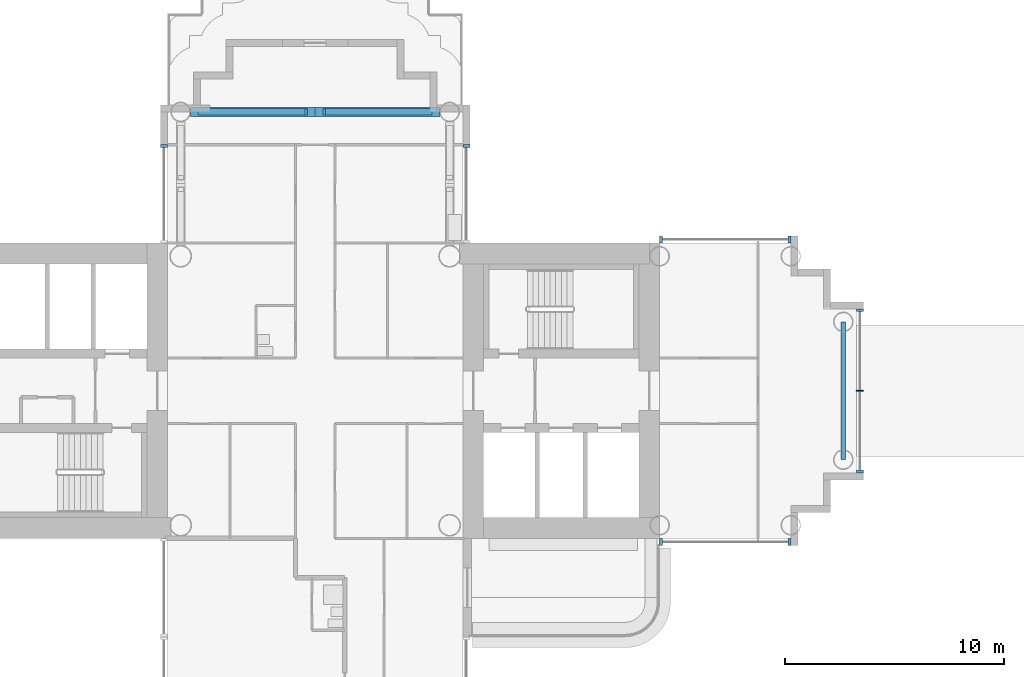
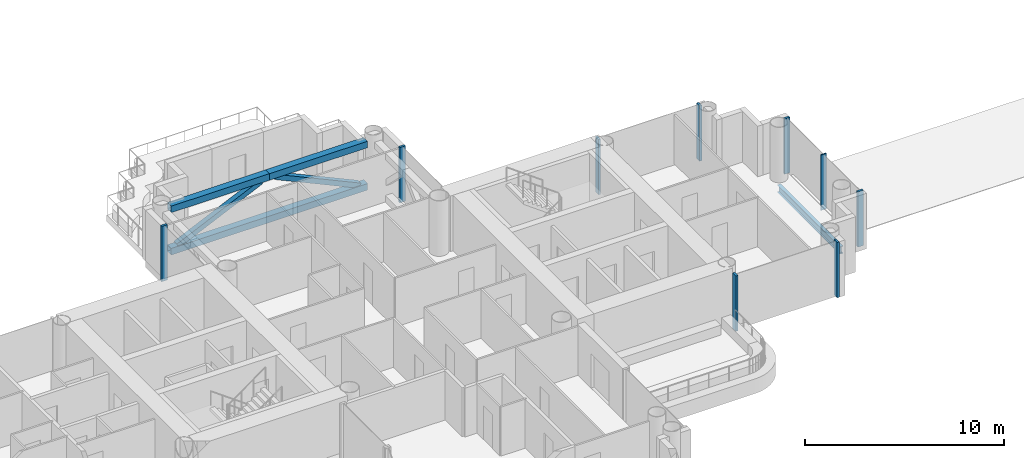
# One storey, part 4 of 22: 14 members, 1 beam, 5 elements without a shape of their own.
"""IFC4 building model written with IfcOpenShell, lengths in metres."""

from ifc_helpers import new_model, si_unit, direction, frame, origin, origin_2d, place, context, subcontext, project, spatial, rectangle, hollow_rectangle, i_section, extrude, material, layer, layer_set, material_profile, profile_set, type_object, element, aggregate, save


model = new_model("IFC4")

# Units and contexts
model_context = context("Model", 3, precision=1e-05, world=origin(), true_north=direction((0.0, 1.0)))
body_context = subcontext(model_context, "Body", "Model", "MODEL_VIEW")
ifc_project = project(units=[si_unit("LENGTHUNIT", "METRE"), si_unit("AREAUNIT", "SQUARE_METRE"), si_unit("VOLUMEUNIT", "CUBIC_METRE"), si_unit("PLANEANGLEUNIT", "RADIAN"), si_unit("MASSUNIT", "GRAM", prefix="KILO")], contexts=[model_context])

# Site, building, storey
site_placement = place(None, origin())
site = spatial("IfcSite", under=ifc_project, at=site_placement, CompositionType="ELEMENT")
building_placement = place(site_placement, origin())
building = spatial("IfcBuilding", under=site, at=building_placement, Name="Ipe Terrace Towers", CompositionType="ELEMENT")
storey_placement = place(building_placement, frame((0.0, 0.0, 76.60009765625)))
storey = spatial("IfcBuildingStorey", under=building, at=storey_placement, Name="L20", CompositionType="ELEMENT", Elevation=76.60009765625)

# Members
ifc_material_1 = material(Name="Steel S355", Category="steel")
ifc_material_profile_1 = material_profile(ifc_material_1, hollow_rectangle(XDim=0.300048828125, YDim=0.300048828125, WallThickness=0.01611328125, at=origin_2d()), Name="BELT-BRACE BOX 300x300x16")
ifc_profile_set_1 = profile_set([ifc_material_profile_1], Name="Steel S355")
member_type_1 = type_object("IfcMemberType", Name="BELT-BRACE BOX 300x300x16", PredefinedType="BRACE", material=ifc_profile_set_1)
for number, where, z_axis, x_axis, name in (
    (1, (-30.714111328125, 12.75, 0.3798828125), (-0.908564769515, 0.0, 0.417744012042), (0.0, -1.0, 0.0), "T1-BT-L20-012 diagonal"),
    (2, (-41.285888671875, 12.75, 0.3798828125), (0.908564769515, 0.0, 0.417744012042), (0.0, 1.0, 0.0), "T1-BT-L20-013 diagonal"),
):
    element("IfcMember", number, at=place(storey_placement, frame(where, z_axis=z_axis, x_axis=x_axis)), inside=storey, type_object=member_type_1, Name=name, PredefinedType="BRACE", context=body_context, shape_type="SweptSolid", body=[
        extrude(hollow_rectangle(XDim=0.300048828125, YDim=0.300048828125, WallThickness=0.01611328125, at=origin_2d()), origin(), (0.0, 0.0, 1.0), 5.362060546875),
    ])
ifc_material_2 = material(Name="Steel S355", Category="steel")
ifc_material_profile_2 = material_profile(ifc_material_2, hollow_rectangle(XDim=0.39990234375, YDim=0.39990234375, WallThickness=0.02001953125, at=origin_2d()), Name="BELT-CHORD BOX 400x400x20")
ifc_profile_set_2 = profile_set([ifc_material_profile_2], Name="Steel S355")
member_type_2 = type_object("IfcMemberType", Name="BELT-CHORD BOX 400x400x20", PredefinedType="CHORD", material=ifc_profile_set_2)
member_1_placement = place(storey_placement, frame((-30.300048828125, 12.75, 0.199951171875), z_axis=(-1.0, 0.0, 0.0), x_axis=(0.0, -1.0, 0.0)))
element("IfcMember", 3, at=member_1_placement, inside=storey, type_object=member_type_2, Name="T1-BT-L20-011 bottom chord", PredefinedType="CHORD", context=body_context, shape_type="SweptSolid", body=[
    extrude(hollow_rectangle(XDim=0.39990234375, YDim=0.39990234375, WallThickness=0.02001953125, at=origin_2d()), origin(), (0.0, 0.0, 1.0), 11.39990234375),
])
for number, where, z_axis, x_axis, name in (
    (4, (-30.300048828125, 12.75, 2.7998046875), (-1.0, 0.0, 0.0), (0.0, -1.0, 0.0), "T1-BT-L20-014 top chord"),
    (5, (-36.0, 12.75, 2.7998046875), (-1.0, 0.0, 0.0), (0.0, -1.0, 0.0), "T1-BT-L20-015 top chord"),
):
    element("IfcMember", number, at=place(storey_placement, frame(where, z_axis=z_axis, x_axis=x_axis)), inside=storey, type_object=member_type_2, Name=name, PredefinedType="CHORD", context=body_context, shape_type="SweptSolid", body=[
        extrude(hollow_rectangle(XDim=0.39990234375, YDim=0.39990234375, WallThickness=0.02001953125, at=origin_2d()), origin(), (0.0, 0.0, 1.0), 5.699951171875),
    ])

# Beam
ifc_material_3 = material(Name="Steel S355", Category="steel")
ifc_material_profile_3 = material_profile(ifc_material_3, i_section(OverallWidth=0.199951171875, OverallDepth=0.449951171875, WebThickness=0.009033203125, FlangeThickness=0.013916015625, at=origin_2d()), Name="H-450x200x9x14")
ifc_profile_set_3 = profile_set([ifc_material_profile_3], Name="Steel S355")
beam_type = type_object("IfcBeamType", Name="H08 EDGE BEAM H-450x200x9x14", PredefinedType="BEAM", material=ifc_profile_set_3)
beam_placement = place(storey_placement, frame((-11.85009765625, -3.14990234375, -0.625), z_axis=(0.0, 1.0, 0.0), x_axis=(-1.0, 0.0, 0.0)))
element("IfcBeam", 6, at=beam_placement, inside=storey, type_object=beam_type, Name="Edge beam T1-EB-A05-A06", PredefinedType="BEAM", context=body_context, shape_type="SweptSolid", body=[
    extrude(i_section(OverallWidth=0.199951171875, OverallDepth=0.449951171875, WebThickness=0.009033203125, FlangeThickness=0.013916015625, at=origin_2d()), origin(), (0.0, 0.0, 1.0), 6.2998046875),
])

# Curtain wall, members
ifc_material_4 = material(Name="Aluminium alloy 6063-T6", Category="aluminium")
ifc_layer = layer(ifc_material_4, 0.320068359375)
ifc_layer_set = layer_set([ifc_layer], Name="TOWER UNITISED CURTAIN WALL")
curtain_wall_type = type_object("IfcCurtainWallType", Name="TOWER UNITISED CURTAIN WALL", PredefinedType="NOTDEFINED", material=ifc_layer_set)
curtain_wall_1_placement = place(storey_placement, origin())
curtain_wall_1 = element("IfcCurtainWall", 7, at=curtain_wall_1_placement, inside=storey, type_object=curtain_wall_type, Name="T1-CW-L20-20b curtain wall", PredefinedType="NOTDEFINED")
ifc_material_5 = material(Name="Aluminium alloy 6063-T6", Category="aluminium")
ifc_material_profile_4 = material_profile(ifc_material_5, rectangle(XDim=0.320068359375, YDim=0.1201171875, at=origin_2d()), Name="TOWER UNITISED CORNER MULLION 320 x 120")
ifc_profile_set_4 = profile_set([ifc_material_profile_4], Name="Aluminium alloy 6063-T6")
member_type_3 = type_object("IfcMemberType", Name="TOWER UNITISED CORNER MULLION 320 x 120", PredefinedType="MULLION", material=ifc_profile_set_4)
member_2_placement = place(storey_placement, frame((-20.18896484375, -6.909912109375, -0.300048828125), z_axis=(0.0, 0.0, 1.0), x_axis=(0.0, -1.0, 0.0)))
member_2 = element("IfcMember", 8, at=member_2_placement, type_object=member_type_3, Name="T1-CW-L20-20b mullion 1", PredefinedType="MULLION", context=body_context, shape_type="SweptSolid", body=[
    extrude(rectangle(XDim=0.320068359375, YDim=0.1201171875, at=origin_2d()), origin(), (0.0, 0.0, 1.0), 3.39990234375),
])
member_3_placement = place(storey_placement, frame((-14.31005859375, -6.909912109375, -0.300048828125), z_axis=(0.0, 0.0, 1.0), x_axis=(0.0, -1.0, 0.0)))
member_3 = element("IfcMember", 9, at=member_3_placement, type_object=member_type_3, Name="T1-CW-L20-20b mullion 2", PredefinedType="MULLION", context=body_context, shape_type="SweptSolid", body=[
    extrude(rectangle(XDim=0.320068359375, YDim=0.1201171875, at=origin_2d()), origin(), (0.0, 0.0, 1.0), 3.39990234375),
])
aggregate(curtain_wall_1, [member_2, member_3])

curtain_wall_2_placement = place(storey_placement, origin())
curtain_wall_2 = element("IfcCurtainWall", 10, at=curtain_wall_2_placement, inside=storey, type_object=curtain_wall_type, Name="T1-CW-L20-25a curtain wall", PredefinedType="NOTDEFINED")
member_4_placement = place(storey_placement, frame((-11.090087890625, -3.68994140625, -0.300048828125), z_axis=(0.0, 0.0, 1.0), x_axis=(1.0, 0.0, 0.0)))
member_4 = element("IfcMember", 11, at=member_4_placement, type_object=member_type_3, Name="T1-CW-L20-25a mullion 1", PredefinedType="MULLION", context=body_context, shape_type="SweptSolid", body=[
    extrude(rectangle(XDim=0.320068359375, YDim=0.1201171875, at=origin_2d()), origin(), (0.0, 0.0, 1.0), 3.39990234375),
])
member_5_placement = place(storey_placement, frame((-11.090087890625, 3.68994140625, -0.300048828125), z_axis=(0.0, 0.0, 1.0), x_axis=(1.0, 0.0, 0.0)))
member_5 = element("IfcMember", 12, at=member_5_placement, type_object=member_type_3, Name="T1-CW-L20-25a mullion 3", PredefinedType="MULLION", context=body_context, shape_type="SweptSolid", body=[
    extrude(rectangle(XDim=0.320068359375, YDim=0.1201171875, at=origin_2d()), origin(), (0.0, 0.0, 1.0), 3.39990234375),
])

curtain_wall_3_placement = place(storey_placement, origin())
curtain_wall_3 = element("IfcCurtainWall", 13, at=curtain_wall_3_placement, inside=storey, type_object=curtain_wall_type, Name="T1-CW-L20-30a curtain wall", PredefinedType="NOTDEFINED")
member_6_placement = place(storey_placement, frame((-14.31005859375, 6.909912109375, -0.300048828125), z_axis=(0.0, 0.0, 1.0), x_axis=(0.0, 1.0, 0.0)))
member_6 = element("IfcMember", 14, at=member_6_placement, type_object=member_type_3, Name="T1-CW-L20-30a mullion 1", PredefinedType="MULLION", context=body_context, shape_type="SweptSolid", body=[
    extrude(rectangle(XDim=0.320068359375, YDim=0.1201171875, at=origin_2d()), origin(), (0.0, 0.0, 1.0), 3.39990234375),
])
member_7_placement = place(storey_placement, frame((-20.18896484375, 6.909912109375, -0.300048828125), z_axis=(0.0, 0.0, 1.0), x_axis=(0.0, 1.0, 0.0)))
member_7 = element("IfcMember", 15, at=member_7_placement, type_object=member_type_3, Name="T1-CW-L20-30a mullion 2", PredefinedType="MULLION", context=body_context, shape_type="SweptSolid", body=[
    extrude(rectangle(XDim=0.320068359375, YDim=0.1201171875, at=origin_2d()), origin(), (0.0, 0.0, 1.0), 3.39990234375),
])
aggregate(curtain_wall_3, [member_6, member_7])

# Curtain wall, member
curtain_wall_4_placement = place(storey_placement, origin())
curtain_wall_4 = element("IfcCurtainWall", 16, at=curtain_wall_4_placement, inside=storey, type_object=curtain_wall_type, Name="T1-CW-L20-32a curtain wall", PredefinedType="NOTDEFINED")
member_8_placement = place(storey_placement, frame((-29.090087890625, 11.18994140625, -0.300048828125), z_axis=(0.0, 0.0, 1.0), x_axis=(1.0, 0.0, 0.0)))
member_8 = element("IfcMember", 17, at=member_8_placement, type_object=member_type_3, Name="T1-CW-L20-32a mullion 2", PredefinedType="MULLION", context=body_context, shape_type="SweptSolid", body=[
    extrude(rectangle(XDim=0.320068359375, YDim=0.1201171875, at=origin_2d()), origin(), (0.0, 0.0, 1.0), 3.39990234375),
])
aggregate(curtain_wall_4, [member_8])

curtain_wall_5_placement = place(storey_placement, origin())
curtain_wall_5 = element("IfcCurtainWall", 18, at=curtain_wall_5_placement, inside=storey, type_object=curtain_wall_type, Name="T1-CW-L20-44a curtain wall", PredefinedType="NOTDEFINED")
member_9_placement = place(storey_placement, frame((-42.909912109375, 11.18994140625, -0.300048828125), z_axis=(0.0, 0.0, 1.0), x_axis=(-1.0, 0.0, 0.0)))
member_9 = element("IfcMember", 19, at=member_9_placement, type_object=member_type_3, Name="T1-CW-L20-44a mullion 1", PredefinedType="MULLION", context=body_context, shape_type="SweptSolid", body=[
    extrude(rectangle(XDim=0.320068359375, YDim=0.1201171875, at=origin_2d()), origin(), (0.0, 0.0, 1.0), 3.39990234375),
])
aggregate(curtain_wall_5, [member_9])

# Member
ifc_material_6 = material(Name="Aluminium alloy 6063-T6", Category="aluminium")
ifc_material_profile_5 = material_profile(ifc_material_6, rectangle(XDim=0.320068359375, YDim=0.06494140625, at=origin_2d()), Name="TOWER UNITISED MULLION 320 x 65")
ifc_profile_set_5 = profile_set([ifc_material_profile_5], Name="Aluminium alloy 6063-T6")
member_type_4 = type_object("IfcMemberType", Name="TOWER UNITISED MULLION 320 x 65", PredefinedType="MULLION", material=ifc_profile_set_5)
member_10_placement = place(storey_placement, frame((-11.090087890625, 0.0, -0.300048828125), z_axis=(0.0, 0.0, 1.0), x_axis=(1.0, 0.0, 0.0)))
member_10 = element("IfcMember", 20, at=member_10_placement, type_object=member_type_4, Name="T1-CW-L20-25a mullion 2", PredefinedType="MULLION", context=body_context, shape_type="SweptSolid", body=[
    extrude(rectangle(XDim=0.320068359375, YDim=0.06494140625, at=origin_2d()), origin(), (0.0, 0.0, 1.0), 3.39990234375),
])

aggregate(curtain_wall_2, [member_4, member_10, member_5])

save(model, "model.ifc")
